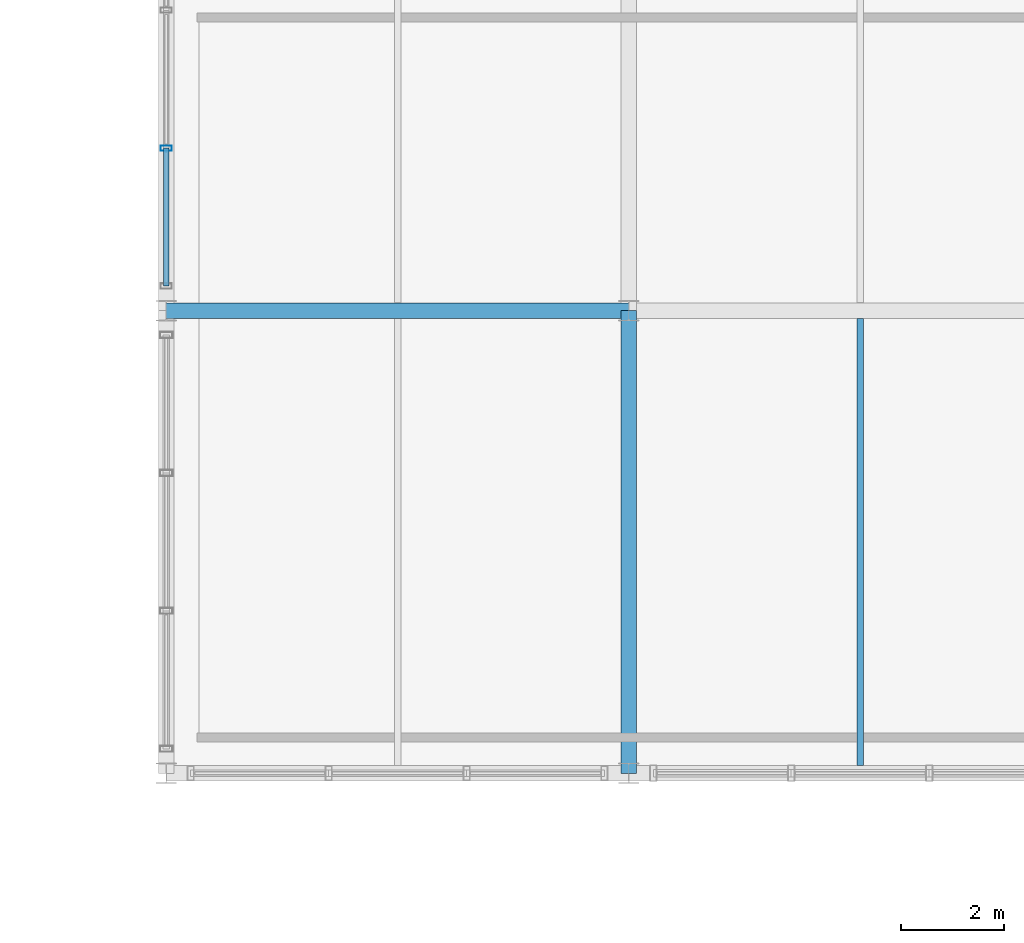
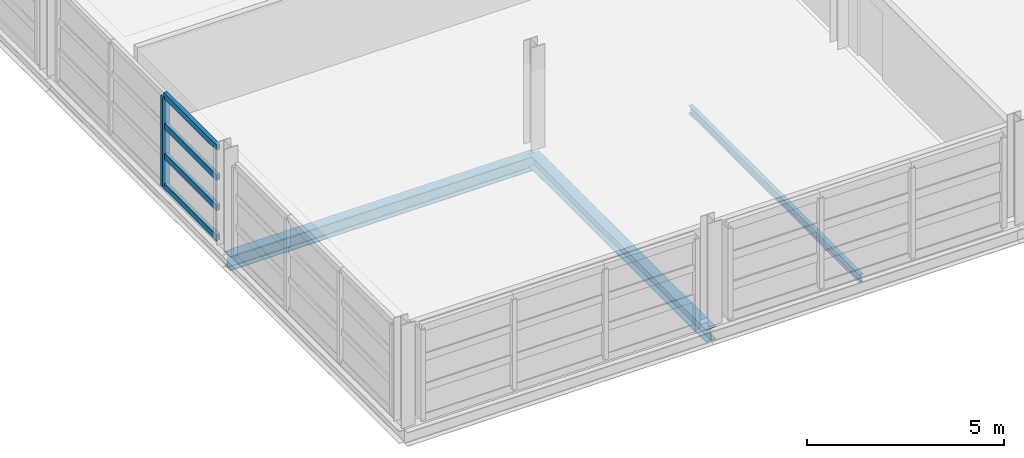
# One storey, part 39 of 86: 5 members, 3 beams, 1 element without a shape of its own.
"""IFC4 building model written with IfcOpenShell, lengths in metres."""

from ifc_helpers import new_model, si_unit, direction, frame, origin, origin_2d, place, context, subcontext, project, spatial, hollow_rectangle, i_section, extrude, material, material_profile, profile_set, type_object, element, aggregate, save


model = new_model("IFC4")

# Units and contexts
model_context = context("Model", 3, precision=1e-05, world=origin(), true_north=direction((0.0, 1.0)))
body_context = subcontext(model_context, "Body", "Model", "MODEL_VIEW")
ifc_project = project(units=[si_unit("LENGTHUNIT", "METRE"), si_unit("AREAUNIT", "SQUARE_METRE"), si_unit("VOLUMEUNIT", "CUBIC_METRE"), si_unit("PLANEANGLEUNIT", "RADIAN"), si_unit("MASSUNIT", "GRAM", prefix="KILO")], contexts=[model_context])

# Site, building, storey
site_placement = place(None, origin())
site = spatial("IfcSite", under=ifc_project, at=site_placement, CompositionType="ELEMENT")
building_placement = place(site_placement, origin())
building = spatial("IfcBuilding", under=site, at=building_placement, Name="Chuanluo Vaults Station", CompositionType="ELEMENT")
storey_placement = place(building_placement, frame((0.0, 0.0, 14.39990234375)))
storey = spatial("IfcBuildingStorey", under=building, at=storey_placement, Name="L03", CompositionType="ELEMENT", Elevation=14.39990234375)

# Beams
ifc_material_1 = material(Name="Steel Q355C", Category="steel")
ifc_material_profile_1 = material_profile(ifc_material_1, i_section(OverallWidth=0.300048828125, OverallDepth=0.389892578125, WebThickness=0.010009765625, FlangeThickness=0.01611328125, FilletRadius=0.02001953125, at=origin_2d()))
ifc_profile_set_1 = profile_set([ifc_material_profile_1], Name="Steel Q355C")
beam_type_1 = type_object("IfcBeamType", Name="BM-GRD-400", PredefinedType="BEAM", material=ifc_profile_set_1)
beam_1_placement = place(storey_placement, frame((154.0, 67.5, -0.414794921875), z_axis=(0.0, 1.0, 0.0), x_axis=(-1.0, 0.0, 0.0)))
element("IfcBeam", 1, at=beam_1_placement, inside=storey, type_object=beam_type_1, Name="Floor girder BM:GY:L03:0799", PredefinedType="BEAM", context=body_context, shape_type="SweptSolid", body=[
    extrude(i_section(OverallWidth=0.300048828125, OverallDepth=0.389892578125, WebThickness=0.010009765625, FlangeThickness=0.01611328125, FilletRadius=0.02001953125, at=origin_2d()), origin(), (0.0, 0.0, 1.0), 9.0),
])
ifc_material_2 = material(Name="Steel Q355C", Category="steel")
ifc_material_profile_2 = material_profile(ifc_material_2, i_section(OverallWidth=0.300048828125, OverallDepth=0.43994140625, WebThickness=0.010986328125, FlangeThickness=0.01806640625, FilletRadius=0.02001953125, at=origin_2d()))
ifc_profile_set_2 = profile_set([ifc_material_profile_2], Name="Steel Q355C")
beam_type_2 = type_object("IfcBeamType", Name="BM-GRD-450", PredefinedType="USERDEFINED", material=ifc_profile_set_2)
beam_2_placement = place(storey_placement, frame((145.0, 76.5, -0.43994140625), z_axis=(1.0, 0.0, 0.0), x_axis=(0.0, 1.0, 0.0)))
element("IfcBeam", 2, at=beam_2_placement, inside=storey, type_object=beam_type_2, Name="Floor girder BM:GX:L03:0739", ObjectType="GIRDER", PredefinedType="USERDEFINED", context=body_context, shape_type="SweptSolid", body=[
    extrude(i_section(OverallWidth=0.300048828125, OverallDepth=0.43994140625, WebThickness=0.010986328125, FlangeThickness=0.01806640625, FilletRadius=0.02001953125, at=origin_2d()), origin(), (0.0, 0.0, 1.0), 9.0),
])
ifc_material_3 = material(Name="Steel Q355C", Category="steel")
ifc_material_profile_3 = material_profile(ifc_material_3, i_section(OverallWidth=0.125, OverallDepth=0.25, WebThickness=0.006103515625, FlangeThickness=0.009033203125, FilletRadius=0.011962890625, at=origin_2d()))
ifc_profile_set_3 = profile_set([ifc_material_profile_3], Name="Steel Q355C")
beam_type_3 = type_object("IfcBeamType", Name="BM-SEC-250", PredefinedType="JOIST", material=ifc_profile_set_3)
beam_3_placement = place(storey_placement, frame((158.5, 67.655029296875, -0.344970703125), z_axis=(0.0, 1.0, 0.0), x_axis=(-1.0, 0.0, 0.0)))
element("IfcBeam", 3, at=beam_3_placement, inside=storey, type_object=beam_type_3, Name="Composite secondary joist 0245", PredefinedType="JOIST", context=body_context, shape_type="SweptSolid", body=[
    extrude(i_section(OverallWidth=0.125, OverallDepth=0.25, WebThickness=0.006103515625, FlangeThickness=0.009033203125, FilletRadius=0.011962890625, at=origin_2d()), origin(), (0.0, 0.0, 1.0), 8.68994140625),
])

# Curtain wall, members
ifc_material_4 = material(Name="Anodised aluminium 6063-T6", Category="aluminium")
curtain_wall_type = type_object("IfcCurtainWallType", Name="CW-SYS-24", PredefinedType="NOTDEFINED", material=ifc_material_4)
curtain_wall_placement = place(storey_placement, origin())
curtain_wall = element("IfcCurtainWall", 4, at=curtain_wall_placement, inside=storey, type_object=curtain_wall_type, Name="Operations L03 facade CW", PredefinedType="NOTDEFINED")
ifc_material_5 = material(Name="Anodised aluminium 6063-T6", Category="aluminium")
ifc_material_profile_4 = material_profile(ifc_material_5, hollow_rectangle(XDim=0.10498046875, YDim=0.219970703125, WallThickness=0.006103515625, at=origin_2d()))
ifc_profile_set_4 = profile_set([ifc_material_profile_4], Name="Anodised aluminium 6063-T6")
member_type_1 = type_object("IfcMemberType", Name="CWM-140", PredefinedType="MULLION", material=ifc_profile_set_4)
member_1_placement = place(storey_placement, frame((145.0, 79.658203125, 0.0), z_axis=(0.0, 0.0, 1.0), x_axis=(0.0, 1.0, 0.0)))
member_1 = element("IfcMember", 5, at=member_1_placement, type_object=member_type_1, Name="Operations L03 facade CW mullion 2", PredefinedType="MULLION", context=body_context, shape_type="SweptSolid", body=[
    extrude(hollow_rectangle(XDim=0.10498046875, YDim=0.219970703125, WallThickness=0.006103515625, at=origin_2d()), origin(), (0.0, 0.0, 1.0), 2.800048828125),
])
ifc_material_6 = material(Name="Anodised aluminium 6063-T6", Category="aluminium")
ifc_material_profile_5 = material_profile(ifc_material_6, hollow_rectangle(XDim=0.10498046875, YDim=0.18505859375, WallThickness=0.0048828125, at=origin_2d()))
ifc_profile_set_5 = profile_set([ifc_material_profile_5], Name="Anodised aluminium 6063-T6")
member_type_2 = type_object("IfcMemberType", Name="CWT-110", PredefinedType="USERDEFINED", material=ifc_profile_set_5)
member_2_placement = place(storey_placement, frame((145.0, 76.97509765625, 0.0), z_axis=(0.0, 1.0, 0.0), x_axis=(-1.0, 0.0, 0.0)))
member_2 = element("IfcMember", 6, at=member_2_placement, type_object=member_type_2, Name="Operations L03 facade CW transom 1.1", ObjectType="TRANSOM", PredefinedType="USERDEFINED", context=body_context, shape_type="SweptSolid", body=[
    extrude(hollow_rectangle(XDim=0.10498046875, YDim=0.18505859375, WallThickness=0.0048828125, at=origin_2d()), origin(), (0.0, 0.0, 1.0), 2.68310546875),
])
member_3_placement = place(storey_placement, frame((145.0, 76.97509765625, 0.933349609375), z_axis=(0.0, 1.0, 0.0), x_axis=(-1.0, 0.0, 0.0)))
member_3 = element("IfcMember", 7, at=member_3_placement, type_object=member_type_2, Name="Operations L03 facade CW transom 1.2", ObjectType="TRANSOM", PredefinedType="USERDEFINED", context=body_context, shape_type="SweptSolid", body=[
    extrude(hollow_rectangle(XDim=0.10498046875, YDim=0.18505859375, WallThickness=0.0048828125, at=origin_2d()), origin(), (0.0, 0.0, 1.0), 2.68310546875),
])
member_4_placement = place(storey_placement, frame((145.0, 76.97509765625, 1.86669921875), z_axis=(0.0, 1.0, 0.0), x_axis=(-1.0, 0.0, 0.0)))
member_4 = element("IfcMember", 8, at=member_4_placement, type_object=member_type_2, Name="Operations L03 facade CW transom 1.3", ObjectType="TRANSOM", PredefinedType="USERDEFINED", context=body_context, shape_type="SweptSolid", body=[
    extrude(hollow_rectangle(XDim=0.10498046875, YDim=0.18505859375, WallThickness=0.0048828125, at=origin_2d()), origin(), (0.0, 0.0, 1.0), 2.68310546875),
])
member_5_placement = place(storey_placement, frame((145.0, 76.97509765625, 2.800048828125), z_axis=(0.0, 1.0, 0.0), x_axis=(-1.0, 0.0, 0.0)))
member_5 = element("IfcMember", 9, at=member_5_placement, type_object=member_type_2, Name="Operations L03 facade CW transom 1.4", ObjectType="TRANSOM", PredefinedType="USERDEFINED", context=body_context, shape_type="SweptSolid", body=[
    extrude(hollow_rectangle(XDim=0.10498046875, YDim=0.18505859375, WallThickness=0.0048828125, at=origin_2d()), origin(), (0.0, 0.0, 1.0), 2.68310546875),
])
aggregate(curtain_wall, [member_1, member_2, member_3, member_4, member_5])

save(model, "model.ifc")
